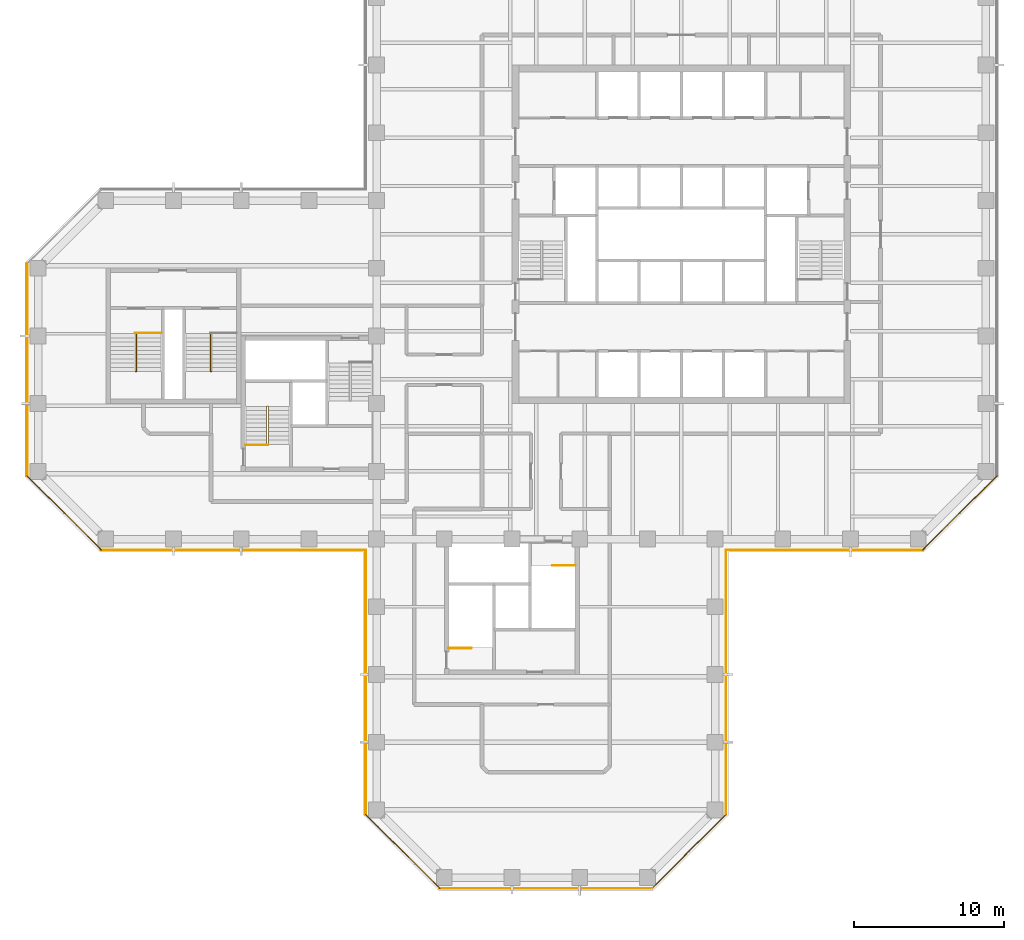
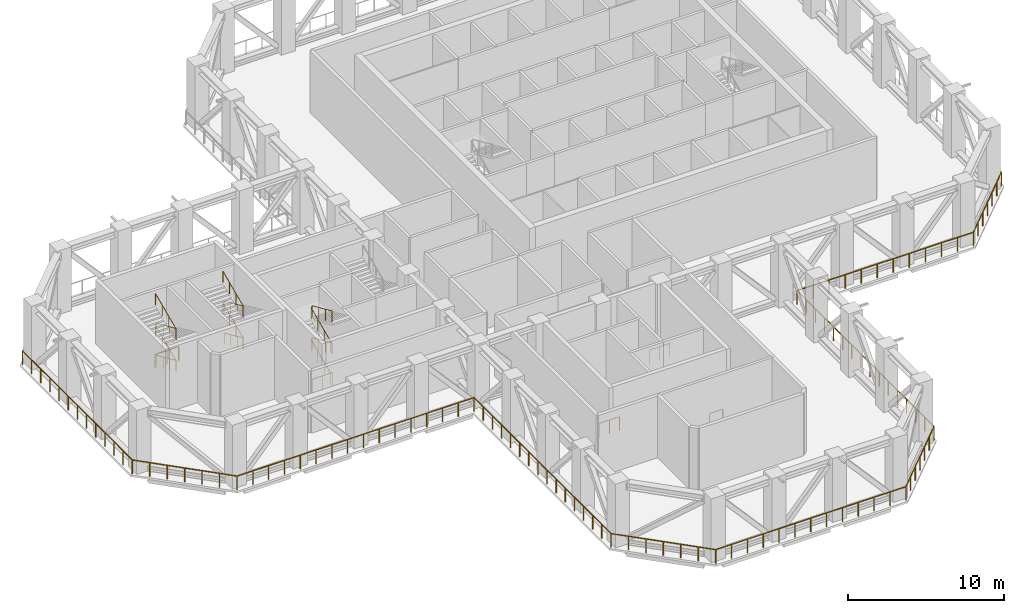
# One storey, part 13 of 14: 17 railings.
"""IFC4 building model written with IfcOpenShell, lengths in metres."""

import ifcopenshell
import ifcopenshell.guid

model = None  # the IFC model being written
_history = None  # IfcOwnerHistory: only IFC2X3 demands one
_inside = {}  # id of a spatial element -> (the spatial element, [elements in it])
_under = {}  # id of a project, library or spatial element -> (it, [spatial elements below it])
_declared = {}  # id of a project -> (the project, [libraries it declares])
_typed = {}  # id of a type object -> (the type object, [elements of that type])
_made_of = {}  # id of a material, layer set ... -> (it, [elements and type objects made of it])


def new_model(schema):
    """Start an empty IFC model of exactly this schema.

    Asked for "IFC4X3", IfcOpenShell would pick the latest addendum, in which some entities
    have other attributes; the version numbers below select the first issue.
    IFC2X3 requires an IfcOwnerHistory on every rooted entity: one is made here for all.
    """
    global model, _history
    if schema == "IFC4X3":
        model = ifcopenshell.file(schema_version=(4, 3, 0, 0))
    else:
        model = ifcopenshell.file(schema=schema)
    _inside.clear()
    _under.clear()
    _declared.clear()
    _typed.clear()
    _made_of.clear()
    _history = None
    if model.schema == "IFC2X3":
        org = make("IfcOrganization", Name="unknown")
        user = make(
            "IfcPersonAndOrganization",
            ThePerson=make("IfcPerson", FamilyName="unknown"),
            TheOrganization=org,
        )
        app = make(
            "IfcApplication",
            ApplicationDeveloper=org,
            Version="unknown",
            ApplicationFullName="unknown",
            ApplicationIdentifier="unknown",
        )
        _history = make(
            "IfcOwnerHistory",
            OwningUser=user,
            OwningApplication=app,
            ChangeAction="ADDED",
            CreationDate=0,
        )
    return model


def make(cls, **values):
    """One entity of the class cls with the attributes given. An attribute that is None is left unset."""
    return model.create_entity(
        cls, **{name: value for name, value in values.items() if value is not None}
    )


def rooted(cls, **values):
    """An entity with a GlobalId (a new one), such as an element, a storey or a relation."""
    return make(cls, GlobalId=ifcopenshell.guid.new(), OwnerHistory=_history, **values)


def si_unit(unit_type, name, prefix=None):
    """IfcSIUnit, for example si_unit("LENGTHUNIT", "METRE", prefix="MILLI")."""
    return make("IfcSIUnit", UnitType=unit_type, Prefix=prefix, Name=name)


def assignment(units):
    """IfcUnitAssignment: the units of a project."""
    return None if units is None else make("IfcUnitAssignment", Units=units)


def point(xyz):
    """IfcCartesianPoint."""
    return None if xyz is None else make("IfcCartesianPoint", Coordinates=xyz)


def direction(xyz):
    """IfcDirection."""
    return None if xyz is None else make("IfcDirection", DirectionRatios=xyz)


def frame(location, z_axis=None, x_axis=None):
    """IfcAxis2Placement3D, a coordinate frame: its origin and axes. An axis left out is left unset."""
    return make(
        "IfcAxis2Placement3D",
        Location=point(location),
        Axis=direction(z_axis),
        RefDirection=direction(x_axis),
    )


def frame_2d(location, x_axis=None):
    """IfcAxis2Placement2D, a coordinate frame in the plane: its origin and x axis."""
    return make(
        "IfcAxis2Placement2D", Location=point(location), RefDirection=direction(x_axis)
    )


def origin():
    """The frame at (0, 0, 0) with its axes left unset."""
    return frame((0.0, 0.0, 0.0))


def origin_2d():
    """The frame at (0, 0) in the plane with its x axis left unset."""
    return frame_2d((0.0, 0.0))


def place(relative_to, where):
    """IfcLocalPlacement: puts the frame where relative to a parent placement (None: the world)."""
    return make(
        "IfcLocalPlacement", PlacementRelTo=relative_to, RelativePlacement=where
    )


def context(
    kind, dimensions, precision=None, world=None, true_north=None, identifier=None
):
    """IfcGeometricRepresentationContext, for example the 3D "Model" context."""
    return make(
        "IfcGeometricRepresentationContext",
        ContextIdentifier=identifier,
        ContextType=kind,
        CoordinateSpaceDimension=dimensions,
        Precision=precision,
        WorldCoordinateSystem=world,
        TrueNorth=true_north,
    )


def subcontext(parent, identifier, kind, view, scale=None):
    """IfcGeometricRepresentationSubContext, for example "Body" below "Model"."""
    return make(
        "IfcGeometricRepresentationSubContext",
        ContextIdentifier=identifier,
        ContextType=kind,
        ParentContext=parent,
        TargetScale=scale,
        TargetView=view,
    )


def project(units=None, contexts=None):
    """IfcProject with its units and contexts."""
    return rooted(
        "IfcProject",
        Name="project",
        RepresentationContexts=contexts,
        UnitsInContext=assignment(units),
    )


def spatial(cls, under=None, at=None, **own):
    """A site, building, storey or space (cls), placed at a placement, below another one or the project."""
    s = rooted(cls, ObjectPlacement=at, **own)
    if under is not None:
        _under.setdefault(under.id(), (under, []))[1].append(s)
    return s


def profile(cls, at=None, kind="AREA", **sizes):
    """A parametric profile (cls). Its sizes go by their IFC names, for example OverallWidth=200.0."""
    return make(cls, ProfileType=kind, Position=at, **sizes)


def circle(**sizes):
    """IfcCircleProfileDef."""
    return profile("IfcCircleProfileDef", **sizes)


def extrude(swept, where, along, depth):
    """IfcExtrudedAreaSolid: the profile swept, set in the frame where, extruded along a direction by depth."""
    return make(
        "IfcExtrudedAreaSolid",
        SweptArea=swept,
        Position=where,
        ExtrudedDirection=direction(along),
        Depth=depth,
    )


def shape(context_of_items, identifier, shape_type, items):
    """IfcShapeRepresentation: the items that make up one representation, for example the "Body"."""
    return make(
        "IfcShapeRepresentation",
        ContextOfItems=context_of_items,
        RepresentationIdentifier=identifier,
        RepresentationType=shape_type,
        Items=items,
    )


def material(Name=None, Category=None):
    """IfcMaterial."""
    return make("IfcMaterial", Name=Name, Category=Category)


def made_of(thing, what):
    """Note that an element or type object is made of a material, layer set ...; save() writes the relation."""
    if what is not None:
        _made_of.setdefault(what.id(), (what, []))[1].append(thing)
    return thing


def type_object(cls, material=None, **own):
    """A type object (cls), such as IfcWallType, which elements share."""
    return made_of(rooted(cls, **own), material)


def element(
    cls,
    number,
    at=None,
    inside=None,
    cuts=None,
    type_object=None,
    material=None,
    context=None,
    identifier="Body",
    shape_type=None,
    held_by="IfcProductDefinitionShape",
    body=None,
    shapes=None,
    **own,
):
    """One element of the class cls, such as IfcWall. Its Tag is "e" and its number.

    at: its placement. inside: the storey or other place that contains it. cuts: it is an
    opening in that element (IfcRelVoidsElement). A single representation is given by context,
    identifier, shape_type and body (its items); several are given by shapes. held_by: the class
    of the entity that holds the representations. save() writes the other relations.
    """
    e = rooted(cls, Tag="e%d" % number, ObjectPlacement=at, **own)
    if body is not None:
        shapes = [shape(context, identifier, shape_type, body)]
    if shapes is not None:
        e.Representation = make(held_by, Representations=shapes)
    if inside is not None:
        _inside.setdefault(inside.id(), (inside, []))[1].append(e)
    if cuts is not None:
        rooted(
            "IfcRelVoidsElement", RelatingBuildingElement=cuts, RelatedOpeningElement=e
        )
    if type_object is not None:
        _typed.setdefault(type_object.id(), (type_object, []))[1].append(e)
    return made_of(e, material)


def aggregate(whole, parts):
    """IfcRelAggregates: a whole, such as a stair, and the parts it consists of."""
    return rooted("IfcRelAggregates", RelatingObject=whole, RelatedObjects=parts)


def save(model, path):
    """Write the relations noted so far, then the file.

    IfcRelAggregates (storeys below a building ...), IfcRelContainedInSpatialStructure (elements
    in a storey), IfcRelDefinesByType, IfcRelAssociatesMaterial and IfcRelDeclares: one each for
    every whole, place, type object, material and project.
    """
    for whole, parts in _under.values():
        aggregate(whole, parts)
    for where, things in _inside.values():
        rooted(
            "IfcRelContainedInSpatialStructure",
            RelatedElements=things,
            RelatingStructure=where,
        )
    for kind, things in _typed.values():
        rooted("IfcRelDefinesByType", RelatedObjects=things, RelatingType=kind)
    for what, things in _made_of.values():
        rooted("IfcRelAssociatesMaterial", RelatedObjects=things, RelatingMaterial=what)
    for by, libraries in _declared.values():
        rooted("IfcRelDeclares", RelatingContext=by, RelatedDefinitions=libraries)
    model.write(path)


model = new_model("IFC4")

# Units and contexts
model_context = context("Model", 3, precision=1e-05, world=origin(), true_north=direction((0.0, 1.0)))
body_context = subcontext(model_context, "Body", "Model", "MODEL_VIEW")
ifc_project = project(units=[si_unit("LENGTHUNIT", "METRE"), si_unit("AREAUNIT", "SQUARE_METRE"), si_unit("VOLUMEUNIT", "CUBIC_METRE"), si_unit("PLANEANGLEUNIT", "RADIAN"), si_unit("MASSUNIT", "GRAM", prefix="KILO")], contexts=[model_context])

# Site, building, storey
site_placement = place(None, origin())
site = spatial("IfcSite", under=ifc_project, at=site_placement, CompositionType="ELEMENT")
building_placement = place(site_placement, origin())
building = spatial("IfcBuilding", under=site, at=building_placement, Name="Quoin Convention Tower", CompositionType="ELEMENT")
storey_placement = place(building_placement, frame((0.0, 0.0, 138.10009765625)))
storey = spatial("IfcBuildingStorey", under=building, at=storey_placement, Name="L36", CompositionType="ELEMENT", Elevation=138.10009765625)

# Railings
ifc_material = material(Name="Stainless steel", Category="steel")
railing_type_1 = type_object("IfcRailingType", Name="Guard 1100", PredefinedType="GUARDRAIL", material=ifc_material)
railing_1_placement = place(storey_placement, frame((59.22509765625, 39.77490234375, 0.0)))
element("IfcRailing", 1, at=railing_1_placement, inside=storey, type_object=railing_type_1, Name="grd-L36-58500_40500", PredefinedType="GUARDRAIL", context=body_context, shape_type="SweptSolid", body=[
    extrude(circle(Radius=0.02392578125, at=origin_2d()), frame((0.0, 0.0, 1.076171875), z_axis=(1.0, 0.0, 0.0), x_axis=(0.0, 1.0, 0.0)), (0.0, 0.0, 1.0), 13.0751953125),
    extrude(circle(Radius=0.02099609375, at=origin_2d()), origin(), (0.0, 0.0, 1.0), 1.052001953125),
    extrude(circle(Radius=0.02099609375, at=origin_2d()), frame((1.188720703125, 0.0, 0.0)), (0.0, 0.0, 1.0), 1.052001953125),
    extrude(circle(Radius=0.02099609375, at=origin_2d()), frame((2.377197265625, 0.0, 0.0)), (0.0, 0.0, 1.0), 1.052001953125),
    extrude(circle(Radius=0.02099609375, at=origin_2d()), frame((3.56591796875, 0.0, 0.0)), (0.0, 0.0, 1.0), 1.052001953125),
    extrude(circle(Radius=0.02099609375, at=origin_2d()), frame((4.754638671875, 0.0, 0.0)), (0.0, 0.0, 1.0), 1.052001953125),
    extrude(circle(Radius=0.02099609375, at=origin_2d()), frame((5.943359375, 0.0, 0.0)), (0.0, 0.0, 1.0), 1.052001953125),
    extrude(circle(Radius=0.02099609375, at=origin_2d()), frame((7.1318359375, 0.0, 0.0)), (0.0, 0.0, 1.0), 1.052001953125),
    extrude(circle(Radius=0.02099609375, at=origin_2d()), frame((8.320556640625, 0.0, 0.0)), (0.0, 0.0, 1.0), 1.052001953125),
    extrude(circle(Radius=0.02099609375, at=origin_2d()), frame((9.50927734375, 0.0, 0.0)), (0.0, 0.0, 1.0), 1.052001953125),
    extrude(circle(Radius=0.02099609375, at=origin_2d()), frame((10.697998046875, 0.0, 0.0)), (0.0, 0.0, 1.0), 1.052001953125),
    extrude(circle(Radius=0.02099609375, at=origin_2d()), frame((11.886474609375, 0.0, 0.0)), (0.0, 0.0, 1.0), 1.052001953125),
    extrude(circle(Radius=0.02099609375, at=origin_2d()), frame((13.0751953125, 0.0, 0.0)), (0.0, 0.0, 1.0), 1.052001953125),
])
railing_2_placement = place(storey_placement, frame((72.30029296875, 39.77490234375, 0.0)))
element("IfcRailing", 2, at=railing_2_placement, inside=storey, type_object=railing_type_1, Name="grd-L36-72000_40500", PredefinedType="GUARDRAIL", context=body_context, shape_type="SweptSolid", body=[
    extrude(circle(Radius=0.02392578125, at=origin_2d()), frame((0.0, 0.0, 1.076171875), z_axis=(0.707106781187, 0.707106781187, 0.0), x_axis=(-0.707106781187, 0.707106781187, 0.0)), (0.0, 0.0, 1.0), 6.96484375),
    extrude(circle(Radius=0.02099609375, at=origin_2d()), origin(), (0.0, 0.0, 1.0), 1.052001953125),
    extrude(circle(Radius=0.02099609375, at=origin_2d()), frame((0.82080078125, 0.82080078125, 0.0)), (0.0, 0.0, 1.0), 1.052001953125),
    extrude(circle(Radius=0.02099609375, at=origin_2d()), frame((1.6416015625, 1.6416015625, 0.0)), (0.0, 0.0, 1.0), 1.052001953125),
    extrude(circle(Radius=0.02099609375, at=origin_2d()), frame((2.46240234375, 2.46240234375, 0.0)), (0.0, 0.0, 1.0), 1.052001953125),
    extrude(circle(Radius=0.02099609375, at=origin_2d()), frame((3.283203125, 3.283203125, 0.0)), (0.0, 0.0, 1.0), 1.052001953125),
    extrude(circle(Radius=0.02099609375, at=origin_2d()), frame((4.10400390625, 4.10400390625, 0.0)), (0.0, 0.0, 1.0), 1.052001953125),
    extrude(circle(Radius=0.02099609375, at=origin_2d()), frame((4.9248046875, 4.9248046875, 0.0)), (0.0, 0.0, 1.0), 1.052001953125),
])
railing_3_placement = place(storey_placement, frame((12.77490234375, 58.80029296875, 0.0)))
element("IfcRailing", 3, at=railing_3_placement, inside=storey, type_object=railing_type_1, Name="grd-L36-13500_58500", PredefinedType="GUARDRAIL", context=body_context, shape_type="SweptSolid", body=[
    extrude(circle(Radius=0.02392578125, at=origin_2d()), frame((0.0, 0.0, 1.076171875), z_axis=(0.0, -1.0, 0.0), x_axis=(1.0, 0.0, 0.0)), (0.0, 0.0, 1.0), 14.1005859375),
    extrude(circle(Radius=0.02099609375, at=origin_2d()), origin(), (0.0, 0.0, 1.0), 1.052001953125),
    extrude(circle(Radius=0.02099609375, at=origin_2d()), frame((0.0, -1.175048828125, 0.0)), (0.0, 0.0, 1.0), 1.052001953125),
    extrude(circle(Radius=0.02099609375, at=origin_2d()), frame((0.0, -2.35009765625, 0.0)), (0.0, 0.0, 1.0), 1.052001953125),
    extrude(circle(Radius=0.02099609375, at=origin_2d()), frame((0.0, -3.525146484375, 0.0)), (0.0, 0.0, 1.0), 1.052001953125),
    extrude(circle(Radius=0.02099609375, at=origin_2d()), frame((0.0, -4.7001953125, 0.0)), (0.0, 0.0, 1.0), 1.052001953125),
    extrude(circle(Radius=0.02099609375, at=origin_2d()), frame((0.0, -5.875244140625, 0.0)), (0.0, 0.0, 1.0), 1.052001953125),
    extrude(circle(Radius=0.02099609375, at=origin_2d()), frame((0.0, -7.05029296875, 0.0)), (0.0, 0.0, 1.0), 1.052001953125),
    extrude(circle(Radius=0.02099609375, at=origin_2d()), frame((0.0, -8.225341796875, 0.0)), (0.0, 0.0, 1.0), 1.052001953125),
    extrude(circle(Radius=0.02099609375, at=origin_2d()), frame((0.0, -9.400390625, 0.0)), (0.0, 0.0, 1.0), 1.052001953125),
    extrude(circle(Radius=0.02099609375, at=origin_2d()), frame((0.0, -10.575439453125, 0.0)), (0.0, 0.0, 1.0), 1.052001953125),
    extrude(circle(Radius=0.02099609375, at=origin_2d()), frame((0.0, -11.75048828125, 0.0)), (0.0, 0.0, 1.0), 1.052001953125),
    extrude(circle(Radius=0.02099609375, at=origin_2d()), frame((0.0, -12.925537109375, 0.0)), (0.0, 0.0, 1.0), 1.052001953125),
    extrude(circle(Radius=0.02099609375, at=origin_2d()), frame((0.0, -14.1005859375, 0.0)), (0.0, 0.0, 1.0), 1.052001953125),
])
railing_4_placement = place(storey_placement, frame((12.77490234375, 44.69970703125, 0.0)))
element("IfcRailing", 4, at=railing_4_placement, inside=storey, type_object=railing_type_1, Name="grd-L36-13500_45000", PredefinedType="GUARDRAIL", context=body_context, shape_type="SweptSolid", body=[
    extrude(circle(Radius=0.02392578125, at=origin_2d()), frame((0.0, 0.0, 1.076171875), z_axis=(0.707106781187, -0.707106781187, 0.0), x_axis=(0.707106781187, 0.707106781187, 0.0)), (0.0, 0.0, 1.0), 6.96484375),
    extrude(circle(Radius=0.02099609375, at=origin_2d()), origin(), (0.0, 0.0, 1.0), 1.052001953125),
    extrude(circle(Radius=0.02099609375, at=origin_2d()), frame((0.82080078125, -0.82080078125, 0.0)), (0.0, 0.0, 1.0), 1.052001953125),
    extrude(circle(Radius=0.02099609375, at=origin_2d()), frame((1.6416015625, -1.6416015625, 0.0)), (0.0, 0.0, 1.0), 1.052001953125),
    extrude(circle(Radius=0.02099609375, at=origin_2d()), frame((2.46240234375, -2.46240234375, 0.0)), (0.0, 0.0, 1.0), 1.052001953125),
    extrude(circle(Radius=0.02099609375, at=origin_2d()), frame((3.283203125, -3.283203125, 0.0)), (0.0, 0.0, 1.0), 1.052001953125),
    extrude(circle(Radius=0.02099609375, at=origin_2d()), frame((4.10400390625, -4.10400390625, 0.0)), (0.0, 0.0, 1.0), 1.052001953125),
    extrude(circle(Radius=0.02099609375, at=origin_2d()), frame((4.9248046875, -4.9248046875, 0.0)), (0.0, 0.0, 1.0), 1.052001953125),
])
railing_5_placement = place(storey_placement, frame((17.69970703125, 39.77490234375, 0.0)))
element("IfcRailing", 5, at=railing_5_placement, inside=storey, type_object=railing_type_1, Name="grd-L36-18000_40500", PredefinedType="GUARDRAIL", context=body_context, shape_type="SweptSolid", body=[
    extrude(circle(Radius=0.02392578125, at=origin_2d()), frame((0.0, 0.0, 1.076171875), z_axis=(1.0, 0.0, 0.0), x_axis=(0.0, 1.0, 0.0)), (0.0, 0.0, 1.0), 17.5751953125),
    extrude(circle(Radius=0.02099609375, at=origin_2d()), origin(), (0.0, 0.0, 1.0), 1.052001953125),
    extrude(circle(Radius=0.02099609375, at=origin_2d()), frame((1.171630859375, 0.0, 0.0)), (0.0, 0.0, 1.0), 1.052001953125),
    extrude(circle(Radius=0.02099609375, at=origin_2d()), frame((2.34326171875, 0.0, 0.0)), (0.0, 0.0, 1.0), 1.052001953125),
    extrude(circle(Radius=0.02099609375, at=origin_2d()), frame((3.51513671875, 0.0, 0.0)), (0.0, 0.0, 1.0), 1.052001953125),
    extrude(circle(Radius=0.02099609375, at=origin_2d()), frame((4.686767578125, 0.0, 0.0)), (0.0, 0.0, 1.0), 1.052001953125),
    extrude(circle(Radius=0.02099609375, at=origin_2d()), frame((5.8583984375, 0.0, 0.0)), (0.0, 0.0, 1.0), 1.052001953125),
    extrude(circle(Radius=0.02099609375, at=origin_2d()), frame((7.030029296875, 0.0, 0.0)), (0.0, 0.0, 1.0), 1.052001953125),
    extrude(circle(Radius=0.02099609375, at=origin_2d()), frame((8.20166015625, 0.0, 0.0)), (0.0, 0.0, 1.0), 1.052001953125),
    extrude(circle(Radius=0.02099609375, at=origin_2d()), frame((9.37353515625, 0.0, 0.0)), (0.0, 0.0, 1.0), 1.052001953125),
    extrude(circle(Radius=0.02099609375, at=origin_2d()), frame((10.545166015625, 0.0, 0.0)), (0.0, 0.0, 1.0), 1.052001953125),
    extrude(circle(Radius=0.02099609375, at=origin_2d()), frame((11.716796875, 0.0, 0.0)), (0.0, 0.0, 1.0), 1.052001953125),
    extrude(circle(Radius=0.02099609375, at=origin_2d()), frame((12.888427734375, 0.0, 0.0)), (0.0, 0.0, 1.0), 1.052001953125),
    extrude(circle(Radius=0.02099609375, at=origin_2d()), frame((14.06005859375, 0.0, 0.0)), (0.0, 0.0, 1.0), 1.052001953125),
    extrude(circle(Radius=0.02099609375, at=origin_2d()), frame((15.23193359375, 0.0, 0.0)), (0.0, 0.0, 1.0), 1.052001953125),
    extrude(circle(Radius=0.02099609375, at=origin_2d()), frame((16.403564453125, 0.0, 0.0)), (0.0, 0.0, 1.0), 1.052001953125),
    extrude(circle(Radius=0.02099609375, at=origin_2d()), frame((17.5751953125, 0.0, 0.0)), (0.0, 0.0, 1.0), 1.052001953125),
])
railing_6_placement = place(storey_placement, frame((35.27490234375, 39.77490234375, 0.0)))
element("IfcRailing", 6, at=railing_6_placement, inside=storey, type_object=railing_type_1, Name="grd-L36-36000_40500", PredefinedType="GUARDRAIL", context=body_context, shape_type="SweptSolid", body=[
    extrude(circle(Radius=0.02392578125, at=origin_2d()), frame((0.0, 0.0, 1.076171875), z_axis=(0.0, -1.0, 0.0), x_axis=(1.0, 0.0, 0.0)), (0.0, 0.0, 1.0), 17.5751953125),
    extrude(circle(Radius=0.02099609375, at=origin_2d()), origin(), (0.0, 0.0, 1.0), 1.052001953125),
    extrude(circle(Radius=0.02099609375, at=origin_2d()), frame((0.0, -1.171630859375, 0.0)), (0.0, 0.0, 1.0), 1.052001953125),
    extrude(circle(Radius=0.02099609375, at=origin_2d()), frame((0.0, -2.34326171875, 0.0)), (0.0, 0.0, 1.0), 1.052001953125),
    extrude(circle(Radius=0.02099609375, at=origin_2d()), frame((0.0, -3.51513671875, 0.0)), (0.0, 0.0, 1.0), 1.052001953125),
    extrude(circle(Radius=0.02099609375, at=origin_2d()), frame((0.0, -4.686767578125, 0.0)), (0.0, 0.0, 1.0), 1.052001953125),
    extrude(circle(Radius=0.02099609375, at=origin_2d()), frame((0.0, -5.8583984375, 0.0)), (0.0, 0.0, 1.0), 1.052001953125),
    extrude(circle(Radius=0.02099609375, at=origin_2d()), frame((0.0, -7.030029296875, 0.0)), (0.0, 0.0, 1.0), 1.052001953125),
    extrude(circle(Radius=0.02099609375, at=origin_2d()), frame((0.0, -8.20166015625, 0.0)), (0.0, 0.0, 1.0), 1.052001953125),
    extrude(circle(Radius=0.02099609375, at=origin_2d()), frame((0.0, -9.37353515625, 0.0)), (0.0, 0.0, 1.0), 1.052001953125),
    extrude(circle(Radius=0.02099609375, at=origin_2d()), frame((0.0, -10.545166015625, 0.0)), (0.0, 0.0, 1.0), 1.052001953125),
    extrude(circle(Radius=0.02099609375, at=origin_2d()), frame((0.0, -11.716796875, 0.0)), (0.0, 0.0, 1.0), 1.052001953125),
    extrude(circle(Radius=0.02099609375, at=origin_2d()), frame((0.0, -12.888427734375, 0.0)), (0.0, 0.0, 1.0), 1.052001953125),
    extrude(circle(Radius=0.02099609375, at=origin_2d()), frame((0.0, -14.06005859375, 0.0)), (0.0, 0.0, 1.0), 1.052001953125),
    extrude(circle(Radius=0.02099609375, at=origin_2d()), frame((0.0, -15.23193359375, 0.0)), (0.0, 0.0, 1.0), 1.052001953125),
    extrude(circle(Radius=0.02099609375, at=origin_2d()), frame((0.0, -16.403564453125, 0.0)), (0.0, 0.0, 1.0), 1.052001953125),
    extrude(circle(Radius=0.02099609375, at=origin_2d()), frame((0.0, -17.5751953125, 0.0)), (0.0, 0.0, 1.0), 1.052001953125),
])
railing_7_placement = place(storey_placement, frame((35.27490234375, 22.19970703125, 0.0)))
element("IfcRailing", 7, at=railing_7_placement, inside=storey, type_object=railing_type_1, Name="grd-L36-36000_22500", PredefinedType="GUARDRAIL", context=body_context, shape_type="SweptSolid", body=[
    extrude(circle(Radius=0.02392578125, at=origin_2d()), frame((0.0, 0.0, 1.076171875), z_axis=(0.707106781187, -0.707106781187, 0.0), x_axis=(0.707106781187, 0.707106781187, 0.0)), (0.0, 0.0, 1.0), 6.96484375),
    extrude(circle(Radius=0.02099609375, at=origin_2d()), origin(), (0.0, 0.0, 1.0), 1.052001953125),
    extrude(circle(Radius=0.02099609375, at=origin_2d()), frame((0.82080078125, -0.82080078125, 0.0)), (0.0, 0.0, 1.0), 1.052001953125),
    extrude(circle(Radius=0.02099609375, at=origin_2d()), frame((1.6416015625, -1.6416015625, 0.0)), (0.0, 0.0, 1.0), 1.052001953125),
    extrude(circle(Radius=0.02099609375, at=origin_2d()), frame((2.46240234375, -2.46240234375, 0.0)), (0.0, 0.0, 1.0), 1.052001953125),
    extrude(circle(Radius=0.02099609375, at=origin_2d()), frame((3.283203125, -3.283203125, 0.0)), (0.0, 0.0, 1.0), 1.052001953125),
    extrude(circle(Radius=0.02099609375, at=origin_2d()), frame((4.10400390625, -4.10400390625, 0.0)), (0.0, 0.0, 1.0), 1.052001953125),
    extrude(circle(Radius=0.02099609375, at=origin_2d()), frame((4.9248046875, -4.9248046875, 0.0)), (0.0, 0.0, 1.0), 1.052001953125),
])
railing_8_placement = place(storey_placement, frame((40.19970703125, 17.27490234375, 0.0)))
element("IfcRailing", 8, at=railing_8_placement, inside=storey, type_object=railing_type_1, Name="grd-L36-40500_18000", PredefinedType="GUARDRAIL", context=body_context, shape_type="SweptSolid", body=[
    extrude(circle(Radius=0.02392578125, at=origin_2d()), frame((0.0, 0.0, 1.076171875), z_axis=(1.0, 0.0, 0.0), x_axis=(0.0, 1.0, 0.0)), (0.0, 0.0, 1.0), 14.1005859375),
    extrude(circle(Radius=0.02099609375, at=origin_2d()), origin(), (0.0, 0.0, 1.0), 1.052001953125),
    extrude(circle(Radius=0.02099609375, at=origin_2d()), frame((1.175048828125, 0.0, 0.0)), (0.0, 0.0, 1.0), 1.052001953125),
    extrude(circle(Radius=0.02099609375, at=origin_2d()), frame((2.35009765625, 0.0, 0.0)), (0.0, 0.0, 1.0), 1.052001953125),
    extrude(circle(Radius=0.02099609375, at=origin_2d()), frame((3.525146484375, 0.0, 0.0)), (0.0, 0.0, 1.0), 1.052001953125),
    extrude(circle(Radius=0.02099609375, at=origin_2d()), frame((4.7001953125, 0.0, 0.0)), (0.0, 0.0, 1.0), 1.052001953125),
    extrude(circle(Radius=0.02099609375, at=origin_2d()), frame((5.875244140625, 0.0, 0.0)), (0.0, 0.0, 1.0), 1.052001953125),
    extrude(circle(Radius=0.02099609375, at=origin_2d()), frame((7.05029296875, 0.0, 0.0)), (0.0, 0.0, 1.0), 1.052001953125),
    extrude(circle(Radius=0.02099609375, at=origin_2d()), frame((8.225341796875, 0.0, 0.0)), (0.0, 0.0, 1.0), 1.052001953125),
    extrude(circle(Radius=0.02099609375, at=origin_2d()), frame((9.400390625, 0.0, 0.0)), (0.0, 0.0, 1.0), 1.052001953125),
    extrude(circle(Radius=0.02099609375, at=origin_2d()), frame((10.575439453125, 0.0, 0.0)), (0.0, 0.0, 1.0), 1.052001953125),
    extrude(circle(Radius=0.02099609375, at=origin_2d()), frame((11.75048828125, 0.0, 0.0)), (0.0, 0.0, 1.0), 1.052001953125),
    extrude(circle(Radius=0.02099609375, at=origin_2d()), frame((12.925537109375, 0.0, 0.0)), (0.0, 0.0, 1.0), 1.052001953125),
    extrude(circle(Radius=0.02099609375, at=origin_2d()), frame((14.1005859375, 0.0, 0.0)), (0.0, 0.0, 1.0), 1.052001953125),
])
railing_9_placement = place(storey_placement, frame((54.30029296875, 17.27490234375, 0.0)))
element("IfcRailing", 9, at=railing_9_placement, inside=storey, type_object=railing_type_1, Name="grd-L36-54000_18000", PredefinedType="GUARDRAIL", context=body_context, shape_type="SweptSolid", body=[
    extrude(circle(Radius=0.02392578125, at=origin_2d()), frame((0.0, 0.0, 1.076171875), z_axis=(0.707106781187, 0.707106781187, 0.0), x_axis=(-0.707106781187, 0.707106781187, 0.0)), (0.0, 0.0, 1.0), 6.96484375),
    extrude(circle(Radius=0.02099609375, at=origin_2d()), origin(), (0.0, 0.0, 1.0), 1.052001953125),
    extrude(circle(Radius=0.02099609375, at=origin_2d()), frame((0.82080078125, 0.82080078125, 0.0)), (0.0, 0.0, 1.0), 1.052001953125),
    extrude(circle(Radius=0.02099609375, at=origin_2d()), frame((1.6416015625, 1.6416015625, 0.0)), (0.0, 0.0, 1.0), 1.052001953125),
    extrude(circle(Radius=0.02099609375, at=origin_2d()), frame((2.46240234375, 2.46240234375, 0.0)), (0.0, 0.0, 1.0), 1.052001953125),
    extrude(circle(Radius=0.02099609375, at=origin_2d()), frame((3.283203125, 3.283203125, 0.0)), (0.0, 0.0, 1.0), 1.052001953125),
    extrude(circle(Radius=0.02099609375, at=origin_2d()), frame((4.10400390625, 4.10400390625, 0.0)), (0.0, 0.0, 1.0), 1.052001953125),
    extrude(circle(Radius=0.02099609375, at=origin_2d()), frame((4.9248046875, 4.9248046875, 0.0)), (0.0, 0.0, 1.0), 1.052001953125),
])
railing_10_placement = place(storey_placement, frame((59.22509765625, 22.19970703125, 0.0)))
element("IfcRailing", 10, at=railing_10_placement, inside=storey, type_object=railing_type_1, Name="grd-L36-58500_22500", PredefinedType="GUARDRAIL", context=body_context, shape_type="SweptSolid", body=[
    extrude(circle(Radius=0.02392578125, at=origin_2d()), frame((0.0, 0.0, 1.076171875), z_axis=(0.0, 1.0, 0.0), x_axis=(-1.0, 0.0, 0.0)), (0.0, 0.0, 1.0), 17.5751953125),
    extrude(circle(Radius=0.02099609375, at=origin_2d()), origin(), (0.0, 0.0, 1.0), 1.052001953125),
    extrude(circle(Radius=0.02099609375, at=origin_2d()), frame((0.0, 1.171630859375, 0.0)), (0.0, 0.0, 1.0), 1.052001953125),
    extrude(circle(Radius=0.02099609375, at=origin_2d()), frame((0.0, 2.34326171875, 0.0)), (0.0, 0.0, 1.0), 1.052001953125),
    extrude(circle(Radius=0.02099609375, at=origin_2d()), frame((0.0, 3.51513671875, 0.0)), (0.0, 0.0, 1.0), 1.052001953125),
    extrude(circle(Radius=0.02099609375, at=origin_2d()), frame((0.0, 4.686767578125, 0.0)), (0.0, 0.0, 1.0), 1.052001953125),
    extrude(circle(Radius=0.02099609375, at=origin_2d()), frame((0.0, 5.8583984375, 0.0)), (0.0, 0.0, 1.0), 1.052001953125),
    extrude(circle(Radius=0.02099609375, at=origin_2d()), frame((0.0, 7.030029296875, 0.0)), (0.0, 0.0, 1.0), 1.052001953125),
    extrude(circle(Radius=0.02099609375, at=origin_2d()), frame((0.0, 8.20166015625, 0.0)), (0.0, 0.0, 1.0), 1.052001953125),
    extrude(circle(Radius=0.02099609375, at=origin_2d()), frame((0.0, 9.37353515625, 0.0)), (0.0, 0.0, 1.0), 1.052001953125),
    extrude(circle(Radius=0.02099609375, at=origin_2d()), frame((0.0, 10.545166015625, 0.0)), (0.0, 0.0, 1.0), 1.052001953125),
    extrude(circle(Radius=0.02099609375, at=origin_2d()), frame((0.0, 11.716796875, 0.0)), (0.0, 0.0, 1.0), 1.052001953125),
    extrude(circle(Radius=0.02099609375, at=origin_2d()), frame((0.0, 12.888427734375, 0.0)), (0.0, 0.0, 1.0), 1.052001953125),
    extrude(circle(Radius=0.02099609375, at=origin_2d()), frame((0.0, 14.06005859375, 0.0)), (0.0, 0.0, 1.0), 1.052001953125),
    extrude(circle(Radius=0.02099609375, at=origin_2d()), frame((0.0, 15.23193359375, 0.0)), (0.0, 0.0, 1.0), 1.052001953125),
    extrude(circle(Radius=0.02099609375, at=origin_2d()), frame((0.0, 16.403564453125, 0.0)), (0.0, 0.0, 1.0), 1.052001953125),
    extrude(circle(Radius=0.02099609375, at=origin_2d()), frame((0.0, 17.5751953125, 0.0)), (0.0, 0.0, 1.0), 1.052001953125),
])
railing_type_2 = type_object("IfcRailingType", Name="Stair handrail 900", PredefinedType="HANDRAIL", material=ifc_material)
railing_11_placement = place(storey_placement, frame((28.705078125, 46.800048828125, 0.125)))
element("IfcRailing", 11, at=railing_11_placement, inside=storey, type_object=railing_type_2, Name="SD3 handrail 1", PredefinedType="HANDRAIL", context=body_context, shape_type="SweptSolid", body=[
    extrude(circle(Radius=0.02392578125, at=origin_2d()), frame((0.0, 0.0, 0.8759765625), z_axis=(0.0, 0.913139058521, 0.407648205936), x_axis=(-1.0, 0.0, 0.0)), (0.0, 0.0, 1.0), 2.759765625),
    extrude(circle(Radius=0.02392578125, at=origin_2d()), frame((0.0, 2.52001953125, 2.0009765625), z_axis=(0.583636048153, 0.0, 0.812015371343), x_axis=(0.0, 1.0, 0.0)), (0.0, 0.0, 1.0), 0.154052734375),
    extrude(circle(Radius=0.02392578125, at=origin_2d()), frame((0.08984375, 2.52001953125, 2.1259765625), z_axis=(0.0, -0.913139058521, 0.407648205936), x_axis=(1.0, 0.0, 0.0)), (0.0, 0.0, 1.0), 2.759765625),
    extrude(circle(Radius=0.02392578125, at=origin_2d()), frame((0.08984375, 0.0, 3.2509765625), z_axis=(-0.583636048153, 0.0, 0.812015371343), x_axis=(0.0, -1.0, 0.0)), (0.0, 0.0, 1.0), 0.154052734375),
    extrude(circle(Radius=0.02392578125, at=origin_2d()), frame((0.0, 0.0, 3.3759765625), z_axis=(0.0, 0.913139058521, 0.407648205936), x_axis=(-1.0, 0.0, 0.0)), (0.0, 0.0, 1.0), 2.759765625),
    extrude(circle(Radius=0.02392578125, at=origin_2d()), frame((0.0, 2.52001953125, 4.5009765625), z_axis=(0.583636048153, 0.0, 0.812015371343), x_axis=(0.0, 1.0, 0.0)), (0.0, 0.0, 1.0), 0.154052734375),
    extrude(circle(Radius=0.02392578125, at=origin_2d()), frame((0.08984375, 2.52001953125, 4.6259765625), z_axis=(0.0, -0.913139058521, 0.407648205936), x_axis=(1.0, 0.0, 0.0)), (0.0, 0.0, 1.0), 2.759765625),
    extrude(circle(Radius=0.02099609375, at=origin_2d()), origin(), (0.0, 0.0, 1.0), 0.851806640625),
    extrude(circle(Radius=0.02099609375, at=origin_2d()), frame((0.0, 0.840087890625, 0.375)), (0.0, 0.0, 1.0), 0.851806640625),
    extrude(circle(Radius=0.02099609375, at=origin_2d()), frame((0.0, 1.679931640625, 0.75)), (0.0, 0.0, 1.0), 0.851806640625),
    extrude(circle(Radius=0.02099609375, at=origin_2d()), frame((0.0, 2.52001953125, 1.125)), (0.0, 0.0, 1.0), 0.851806640625),
    extrude(circle(Radius=0.02099609375, at=origin_2d()), frame((0.08984375, 2.52001953125, 1.25)), (0.0, 0.0, 1.0), 0.851806640625),
    extrude(circle(Radius=0.02099609375, at=origin_2d()), frame((0.08984375, 1.679931640625, 1.625)), (0.0, 0.0, 1.0), 0.851806640625),
    extrude(circle(Radius=0.02099609375, at=origin_2d()), frame((0.08984375, 0.840087890625, 2.0)), (0.0, 0.0, 1.0), 0.851806640625),
    extrude(circle(Radius=0.02099609375, at=origin_2d()), frame((0.08984375, 0.0, 2.375)), (0.0, 0.0, 1.0), 0.851806640625),
    extrude(circle(Radius=0.02099609375, at=origin_2d()), frame((0.0, 0.0, 2.5)), (0.0, 0.0, 1.0), 0.851806640625),
    extrude(circle(Radius=0.02099609375, at=origin_2d()), frame((0.0, 0.840087890625, 2.875)), (0.0, 0.0, 1.0), 0.851806640625),
    extrude(circle(Radius=0.02099609375, at=origin_2d()), frame((0.0, 1.679931640625, 3.25)), (0.0, 0.0, 1.0), 0.851806640625),
    extrude(circle(Radius=0.02099609375, at=origin_2d()), frame((0.0, 2.52001953125, 3.625)), (0.0, 0.0, 1.0), 0.851806640625),
    extrude(circle(Radius=0.02099609375, at=origin_2d()), frame((0.08984375, 2.52001953125, 3.75)), (0.0, 0.0, 1.0), 0.851806640625),
    extrude(circle(Radius=0.02099609375, at=origin_2d()), frame((0.08984375, 1.679931640625, 4.125)), (0.0, 0.0, 1.0), 0.851806640625),
    extrude(circle(Radius=0.02099609375, at=origin_2d()), frame((0.08984375, 0.840087890625, 4.5)), (0.0, 0.0, 1.0), 0.851806640625),
    extrude(circle(Radius=0.02099609375, at=origin_2d()), frame((0.08984375, 0.0, 4.875)), (0.0, 0.0, 1.0), 0.851806640625),
])
railing_12_placement = place(storey_placement, frame((20.044921875, 54.14990234375, 0.125)))
element("IfcRailing", 12, at=railing_12_placement, inside=storey, type_object=railing_type_2, Name="SD11 handrail 1", PredefinedType="HANDRAIL", context=body_context, shape_type="SweptSolid", body=[
    extrude(circle(Radius=0.02392578125, at=origin_2d()), frame((0.0, 0.0, 0.8759765625), z_axis=(0.0, -0.913139058521, 0.407648205936), x_axis=(1.0, 0.0, 0.0)), (0.0, 0.0, 1.0), 2.759765625),
    extrude(circle(Radius=0.02392578125, at=origin_2d()), frame((0.0, -2.52001953125, 2.0009765625), z_axis=(-0.583636048153, 0.0, 0.812015371343), x_axis=(0.0, -1.0, 0.0)), (0.0, 0.0, 1.0), 0.154052734375),
    extrude(circle(Radius=0.02392578125, at=origin_2d()), frame((-0.08984375, -2.52001953125, 2.1259765625), z_axis=(0.0, 0.913139058521, 0.407648205936), x_axis=(-1.0, 0.0, 0.0)), (0.0, 0.0, 1.0), 2.759765625),
    extrude(circle(Radius=0.02392578125, at=origin_2d()), frame((-0.08984375, 0.0, 3.2509765625), z_axis=(0.583636048153, 0.0, 0.812015371343), x_axis=(0.0, 1.0, 0.0)), (0.0, 0.0, 1.0), 0.154052734375),
    extrude(circle(Radius=0.02392578125, at=origin_2d()), frame((0.0, 0.0, 3.3759765625), z_axis=(0.0, -0.913139058521, 0.407648205936), x_axis=(1.0, 0.0, 0.0)), (0.0, 0.0, 1.0), 2.759765625),
    extrude(circle(Radius=0.02392578125, at=origin_2d()), frame((0.0, -2.52001953125, 4.5009765625), z_axis=(-0.583636048153, 0.0, 0.812015371343), x_axis=(0.0, -1.0, 0.0)), (0.0, 0.0, 1.0), 0.154052734375),
    extrude(circle(Radius=0.02392578125, at=origin_2d()), frame((-0.08984375, -2.52001953125, 4.6259765625), z_axis=(0.0, 0.913139058521, 0.407648205936), x_axis=(-1.0, 0.0, 0.0)), (0.0, 0.0, 1.0), 2.759765625),
    extrude(circle(Radius=0.02099609375, at=origin_2d()), origin(), (0.0, 0.0, 1.0), 0.851806640625),
    extrude(circle(Radius=0.02099609375, at=origin_2d()), frame((0.0, -0.840087890625, 0.375)), (0.0, 0.0, 1.0), 0.851806640625),
    extrude(circle(Radius=0.02099609375, at=origin_2d()), frame((0.0, -1.679931640625, 0.75)), (0.0, 0.0, 1.0), 0.851806640625),
    extrude(circle(Radius=0.02099609375, at=origin_2d()), frame((0.0, -2.52001953125, 1.125)), (0.0, 0.0, 1.0), 0.851806640625),
    extrude(circle(Radius=0.02099609375, at=origin_2d()), frame((-0.08984375, -2.52001953125, 1.25)), (0.0, 0.0, 1.0), 0.851806640625),
    extrude(circle(Radius=0.02099609375, at=origin_2d()), frame((-0.08984375, -1.679931640625, 1.625)), (0.0, 0.0, 1.0), 0.851806640625),
    extrude(circle(Radius=0.02099609375, at=origin_2d()), frame((-0.08984375, -0.840087890625, 2.0)), (0.0, 0.0, 1.0), 0.851806640625),
    extrude(circle(Radius=0.02099609375, at=origin_2d()), frame((-0.08984375, 0.0, 2.375)), (0.0, 0.0, 1.0), 0.851806640625),
    extrude(circle(Radius=0.02099609375, at=origin_2d()), frame((0.0, 0.0, 2.5)), (0.0, 0.0, 1.0), 0.851806640625),
    extrude(circle(Radius=0.02099609375, at=origin_2d()), frame((0.0, -0.840087890625, 2.875)), (0.0, 0.0, 1.0), 0.851806640625),
    extrude(circle(Radius=0.02099609375, at=origin_2d()), frame((0.0, -1.679931640625, 3.25)), (0.0, 0.0, 1.0), 0.851806640625),
    extrude(circle(Radius=0.02099609375, at=origin_2d()), frame((0.0, -2.52001953125, 3.625)), (0.0, 0.0, 1.0), 0.851806640625),
    extrude(circle(Radius=0.02099609375, at=origin_2d()), frame((-0.08984375, -2.52001953125, 3.75)), (0.0, 0.0, 1.0), 0.851806640625),
    extrude(circle(Radius=0.02099609375, at=origin_2d()), frame((-0.08984375, -1.679931640625, 4.125)), (0.0, 0.0, 1.0), 0.851806640625),
    extrude(circle(Radius=0.02099609375, at=origin_2d()), frame((-0.08984375, -0.840087890625, 4.5)), (0.0, 0.0, 1.0), 0.851806640625),
    extrude(circle(Radius=0.02099609375, at=origin_2d()), frame((-0.08984375, 0.0, 4.875)), (0.0, 0.0, 1.0), 0.851806640625),
])
railing_13_placement = place(storey_placement, frame((25.044921875, 54.14990234375, 0.125)))
element("IfcRailing", 13, at=railing_13_placement, inside=storey, type_object=railing_type_2, Name="SD12 handrail 1", PredefinedType="HANDRAIL", context=body_context, shape_type="SweptSolid", body=[
    extrude(circle(Radius=0.02392578125, at=origin_2d()), frame((0.0, 0.0, 0.8759765625), z_axis=(0.0, -0.913139058521, 0.407648205936), x_axis=(1.0, 0.0, 0.0)), (0.0, 0.0, 1.0), 2.759765625),
    extrude(circle(Radius=0.02392578125, at=origin_2d()), frame((0.0, -2.52001953125, 2.0009765625), z_axis=(-0.583636048153, 0.0, 0.812015371343), x_axis=(0.0, -1.0, 0.0)), (0.0, 0.0, 1.0), 0.154052734375),
    extrude(circle(Radius=0.02392578125, at=origin_2d()), frame((-0.08984375, -2.52001953125, 2.1259765625), z_axis=(0.0, 0.913139058521, 0.407648205936), x_axis=(-1.0, 0.0, 0.0)), (0.0, 0.0, 1.0), 2.759765625),
    extrude(circle(Radius=0.02392578125, at=origin_2d()), frame((-0.08984375, 0.0, 3.2509765625), z_axis=(0.583636048153, 0.0, 0.812015371343), x_axis=(0.0, 1.0, 0.0)), (0.0, 0.0, 1.0), 0.154052734375),
    extrude(circle(Radius=0.02392578125, at=origin_2d()), frame((0.0, 0.0, 3.3759765625), z_axis=(0.0, -0.913139058521, 0.407648205936), x_axis=(1.0, 0.0, 0.0)), (0.0, 0.0, 1.0), 2.759765625),
    extrude(circle(Radius=0.02392578125, at=origin_2d()), frame((0.0, -2.52001953125, 4.5009765625), z_axis=(-0.583636048153, 0.0, 0.812015371343), x_axis=(0.0, -1.0, 0.0)), (0.0, 0.0, 1.0), 0.154052734375),
    extrude(circle(Radius=0.02392578125, at=origin_2d()), frame((-0.08984375, -2.52001953125, 4.6259765625), z_axis=(0.0, 0.913139058521, 0.407648205936), x_axis=(-1.0, 0.0, 0.0)), (0.0, 0.0, 1.0), 2.759765625),
    extrude(circle(Radius=0.02099609375, at=origin_2d()), origin(), (0.0, 0.0, 1.0), 0.851806640625),
    extrude(circle(Radius=0.02099609375, at=origin_2d()), frame((0.0, -0.840087890625, 0.375)), (0.0, 0.0, 1.0), 0.851806640625),
    extrude(circle(Radius=0.02099609375, at=origin_2d()), frame((0.0, -1.679931640625, 0.75)), (0.0, 0.0, 1.0), 0.851806640625),
    extrude(circle(Radius=0.02099609375, at=origin_2d()), frame((0.0, -2.52001953125, 1.125)), (0.0, 0.0, 1.0), 0.851806640625),
    extrude(circle(Radius=0.02099609375, at=origin_2d()), frame((-0.08984375, -2.52001953125, 1.25)), (0.0, 0.0, 1.0), 0.851806640625),
    extrude(circle(Radius=0.02099609375, at=origin_2d()), frame((-0.08984375, -1.679931640625, 1.625)), (0.0, 0.0, 1.0), 0.851806640625),
    extrude(circle(Radius=0.02099609375, at=origin_2d()), frame((-0.08984375, -0.840087890625, 2.0)), (0.0, 0.0, 1.0), 0.851806640625),
    extrude(circle(Radius=0.02099609375, at=origin_2d()), frame((-0.08984375, 0.0, 2.375)), (0.0, 0.0, 1.0), 0.851806640625),
    extrude(circle(Radius=0.02099609375, at=origin_2d()), frame((0.0, 0.0, 2.5)), (0.0, 0.0, 1.0), 0.851806640625),
    extrude(circle(Radius=0.02099609375, at=origin_2d()), frame((0.0, -0.840087890625, 2.875)), (0.0, 0.0, 1.0), 0.851806640625),
    extrude(circle(Radius=0.02099609375, at=origin_2d()), frame((0.0, -1.679931640625, 3.25)), (0.0, 0.0, 1.0), 0.851806640625),
    extrude(circle(Radius=0.02099609375, at=origin_2d()), frame((0.0, -2.52001953125, 3.625)), (0.0, 0.0, 1.0), 0.851806640625),
    extrude(circle(Radius=0.02099609375, at=origin_2d()), frame((-0.08984375, -2.52001953125, 3.75)), (0.0, 0.0, 1.0), 0.851806640625),
    extrude(circle(Radius=0.02099609375, at=origin_2d()), frame((-0.08984375, -1.679931640625, 4.125)), (0.0, 0.0, 1.0), 0.851806640625),
    extrude(circle(Radius=0.02099609375, at=origin_2d()), frame((-0.08984375, -0.840087890625, 4.5)), (0.0, 0.0, 1.0), 0.851806640625),
    extrude(circle(Radius=0.02099609375, at=origin_2d()), frame((-0.08984375, 0.0, 4.875)), (0.0, 0.0, 1.0), 0.851806640625),
])
railing_type_3 = type_object("IfcRailingType", Name="Stair top guard 1100", PredefinedType="GUARDRAIL", material=ifc_material)
for number, where, name in (
    (14, (27.300048828125, 46.75, 0.0), "SD3 top guard"),
    (15, (40.800048828125, 33.25, 0.0), "SD5 top guard"),
):
    element("IfcRailing", number, at=place(storey_placement, frame(where)), inside=storey, type_object=railing_type_3, Name=name, PredefinedType="GUARDRAIL", context=body_context, shape_type="SweptSolid", body=[
        extrude(circle(Radius=0.02392578125, at=origin_2d()), frame((0.0, 0.0, 1.076171875), z_axis=(1.0, 0.0, 0.0), x_axis=(0.0, 1.0, 0.0)), (0.0, 0.0, 1.0), 1.494873046875),
        extrude(circle(Radius=0.02099609375, at=origin_2d()), origin(), (0.0, 0.0, 1.0), 1.052001953125),
        extrude(circle(Radius=0.02099609375, at=origin_2d()), frame((0.74755859375, 0.0, 0.0)), (0.0, 0.0, 1.0), 1.052001953125),
        extrude(circle(Radius=0.02099609375, at=origin_2d()), frame((1.494873046875, 0.0, 0.0)), (0.0, 0.0, 1.0), 1.052001953125),
    ])
railing_14_placement = place(storey_placement, frame((49.199951171875, 38.75, 0.0)))
element("IfcRailing", 16, at=railing_14_placement, inside=storey, type_object=railing_type_3, Name="SD6 top guard", PredefinedType="GUARDRAIL", context=body_context, shape_type="SweptSolid", body=[
    extrude(circle(Radius=0.02392578125, at=origin_2d()), frame((0.0, 0.0, 1.076171875), z_axis=(-1.0, 0.0, 0.0), x_axis=(0.0, -1.0, 0.0)), (0.0, 0.0, 1.0), 1.494873046875),
    extrude(circle(Radius=0.02099609375, at=origin_2d()), origin(), (0.0, 0.0, 1.0), 1.052001953125),
    extrude(circle(Radius=0.02099609375, at=origin_2d()), frame((-0.74755859375, 0.0, 0.0)), (0.0, 0.0, 1.0), 1.052001953125),
    extrude(circle(Radius=0.02099609375, at=origin_2d()), frame((-1.494873046875, 0.0, 0.0)), (0.0, 0.0, 1.0), 1.052001953125),
])
railing_15_placement = place(storey_placement, frame((21.699951171875, 54.199951171875, 0.0)))
element("IfcRailing", 17, at=railing_15_placement, inside=storey, type_object=railing_type_3, Name="SD11 top guard", PredefinedType="GUARDRAIL", context=body_context, shape_type="SweptSolid", body=[
    extrude(circle(Radius=0.02392578125, at=origin_2d()), frame((0.0, 0.0, 1.076171875), z_axis=(-1.0, 0.0, 0.0), x_axis=(0.0, -1.0, 0.0)), (0.0, 0.0, 1.0), 1.744873046875),
    extrude(circle(Radius=0.02099609375, at=origin_2d()), origin(), (0.0, 0.0, 1.0), 1.052001953125),
    extrude(circle(Radius=0.02099609375, at=origin_2d()), frame((-0.87255859375, 0.0, 0.0)), (0.0, 0.0, 1.0), 1.052001953125),
    extrude(circle(Radius=0.02099609375, at=origin_2d()), frame((-1.744873046875, 0.0, 0.0)), (0.0, 0.0, 1.0), 1.052001953125),
])

save(model, "model.ifc")
